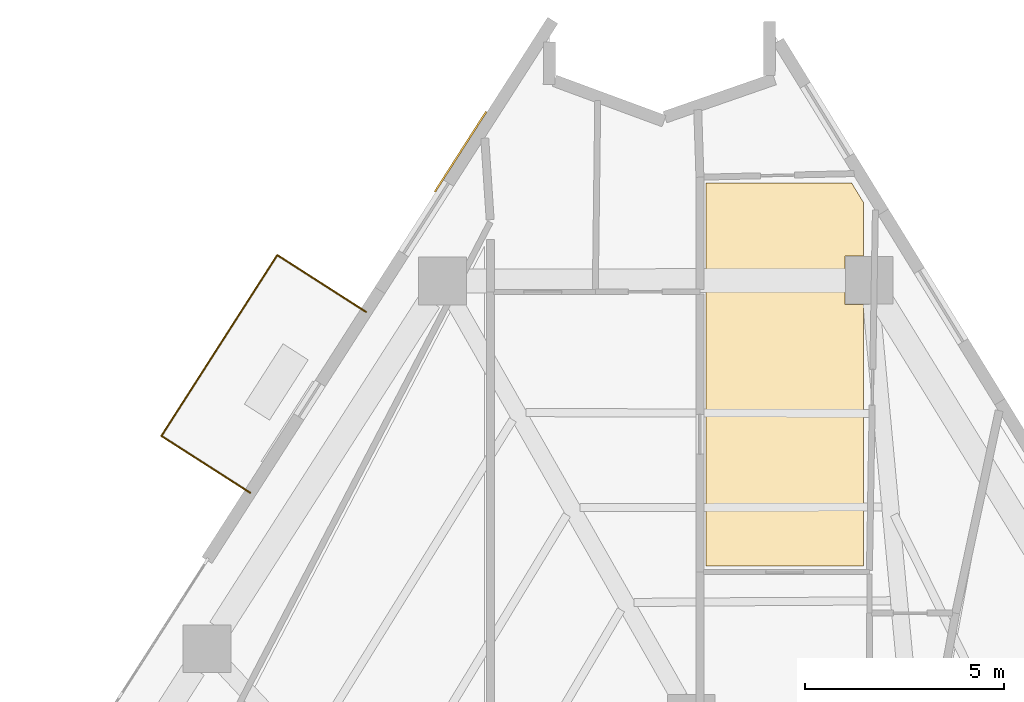
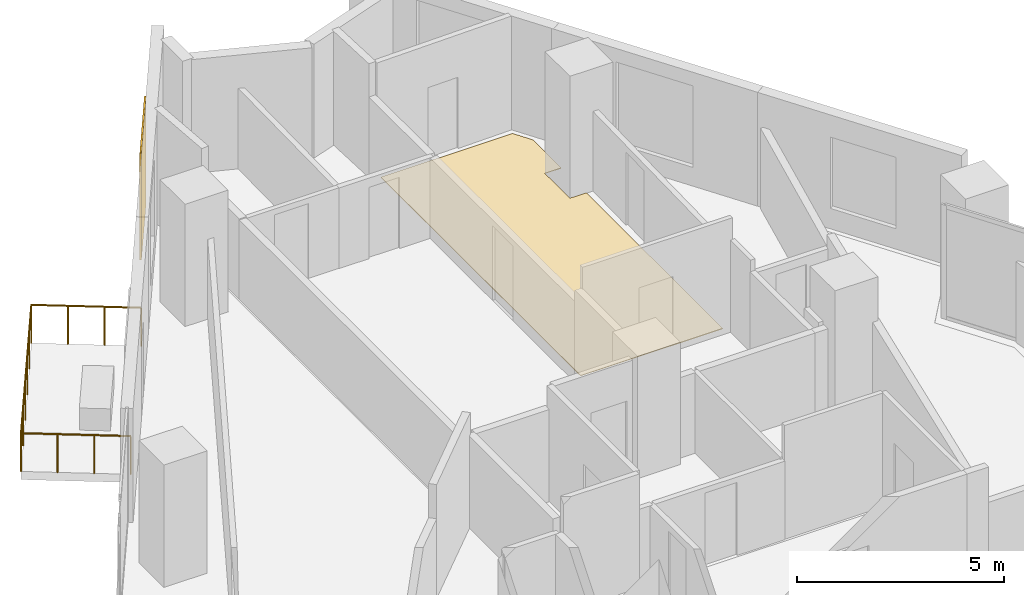
# One storey, part 13 of 13: 2 coverings, 1 railing.
"""IFC4 building model written with IfcOpenShell, lengths in metres."""

from ifc_helpers import new_model, si_unit, direction, frame, origin, origin_2d, place, context, subcontext, project, spatial, polyline, rectangle, circle, outline, extrude, material, layer, layer_set, type_object, element, save


model = new_model("IFC4")

# Units and contexts
model_context = context("Model", 3, precision=1e-05, world=origin(), true_north=direction((0.0, 1.0)))
body_context = subcontext(model_context, "Body", "Model", "MODEL_VIEW")
ifc_project = project(units=[si_unit("LENGTHUNIT", "METRE"), si_unit("AREAUNIT", "SQUARE_METRE"), si_unit("VOLUMEUNIT", "CUBIC_METRE"), si_unit("PLANEANGLEUNIT", "RADIAN"), si_unit("MASSUNIT", "GRAM", prefix="KILO")], contexts=[model_context])

# Site, building, storey
site_placement = place(None, origin())
site = spatial("IfcSite", under=ifc_project, at=site_placement, CompositionType="ELEMENT")
building_placement = place(site_placement, origin())
building = spatial("IfcBuilding", under=site, at=building_placement, Name="Almagre Mirador Tower", CompositionType="ELEMENT")
storey_placement = place(building_placement, frame((0.0, 0.0, 82.199951171875)))
storey = spatial("IfcBuildingStorey", under=building, at=storey_placement, Name="L20", CompositionType="ELEMENT", Elevation=82.199951171875)

# Coverings
ifc_material_1 = material(Name="Almagre terracotta architectural cladding", Category="masonry")
ifc_layer_1 = layer(ifc_material_1, 0.044921875)
ifc_layer_set_1 = layer_set([ifc_layer_1], Name="Almagre terracotta architectural cladding")
covering_type_1 = type_object("IfcCoveringType", Name="COV-CLAD-ALMAGRE", PredefinedType="CLADDING", material=ifc_layer_set_1)
covering_1_placement = place(storey_placement, frame((31.552001953125, 40.440673828125, 0.10009765625), z_axis=(0.0, 0.0, 1.0), x_axis=(0.539461671362, 0.84201015738, 0.0)))
element("IfcCovering", 1, at=covering_1_placement, inside=storey, type_object=covering_type_1, Name="L20 almagre terracotta pier cladding", PredefinedType="CLADDING", context=body_context, shape_type="SweptSolid", body=[
    extrude(rectangle(XDim=2.39990234375, YDim=0.044921875, at=origin_2d()), origin(), (0.0, 0.0, 1.0), 3.14990234375),
])
ifc_material_2 = material(Name="Engineered white oak flooring", Category="wood")
ifc_layer_2 = layer(ifc_material_2, 0.01806640625)
ifc_layer_set_2 = layer_set([ifc_layer_2], Name="Engineered white oak flooring")
covering_type_2 = type_object("IfcCoveringType", Name="COV-FLR-OAK-18", PredefinedType="FLOORING", material=ifc_layer_set_2)
covering_2_placement = place(storey_placement, origin())
element("IfcCovering", 2, at=covering_2_placement, inside=storey, type_object=covering_type_2, Name="L20 Unit L20-H Family Living Salon finish flooring", PredefinedType="FLOORING", context=body_context, shape_type="SweptSolid", body=[
    extrude(outline(polyline([(41.679931640625, 37.81298828125), (41.220947265625, 37.81298828125), (41.220947265625, 36.60302734375), (41.679931640625, 36.60302734375), (41.679931640625, 30.02001953125), (37.719970703125, 30.02001953125), (37.719970703125, 39.64990234375), (41.385986328125, 39.64990234375), (41.679931640625, 39.16796875), (41.679931640625, 37.81298828125)])), origin(), (0.0, 0.0, 1.0), 0.01806640625),
])

# Railing
ifc_material_3 = material(Name="Black anodized aluminium", Category="aluminium")
railing_type = type_object("IfcRailingType", Name="RLG-BAL-1150", PredefinedType="BALUSTRADE", material=ifc_material_3)
railing_placement = place(storey_placement, frame((29.177001953125, 36.4130859375, 0.0)))
element("IfcRailing", 3, at=railing_placement, inside=storey, type_object=railing_type, Name="L20 west balcony balustrade 2", PredefinedType="BALUSTRADE", context=body_context, shape_type="SweptSolid", body=[
    extrude(circle(Radius=0.02392578125, at=origin_2d()), frame((0.0, 0.0, 1.1259765625), z_axis=(-0.842015379792, 0.539453519957, 0.0), x_axis=(-0.539453519957, -0.842015379792, 0.0)), (0.0, 0.0, 1.0), 2.650634765625),
    extrude(circle(Radius=0.02392578125, at=origin_2d()), frame((-2.23193359375, 1.429931640625, 1.1259765625), z_axis=(-0.539438510145, -0.842024995931, 0.0), x_axis=(0.842024995931, -0.539438510145, 0.0)), (0.0, 0.0, 1.0), 5.400146484375),
    extrude(circle(Radius=0.02392578125, at=origin_2d()), frame((-5.14501953125, -3.1171875, 1.1259765625), z_axis=(0.842075537364, -0.539359610439, 0.0), x_axis=(0.539359610439, 0.842075537364, 0.0)), (0.0, 0.0, 1.0), 2.6494140625),
    extrude(circle(Radius=0.02099609375, at=origin_2d()), origin(), (0.0, 0.0, 1.0), 1.101806640625),
    extrude(circle(Radius=0.02099609375, at=origin_2d()), frame((-0.743896484375, 0.4765625, 0.0)), (0.0, 0.0, 1.0), 1.101806640625),
    extrude(circle(Radius=0.02099609375, at=origin_2d()), frame((-1.488037109375, 0.953369140625, 0.0)), (0.0, 0.0, 1.0), 1.101806640625),
    extrude(circle(Radius=0.02099609375, at=origin_2d()), frame((-2.23193359375, 1.429931640625, 0.0)), (0.0, 0.0, 1.0), 1.101806640625),
    extrude(circle(Radius=0.02099609375, at=origin_2d()), frame((-2.814453125, 0.5205078125, 0.0)), (0.0, 0.0, 1.0), 1.101806640625),
    extrude(circle(Radius=0.02099609375, at=origin_2d()), frame((-3.397216796875, -0.388916015625, 0.0)), (0.0, 0.0, 1.0), 1.101806640625),
    extrude(circle(Radius=0.02099609375, at=origin_2d()), frame((-3.979736328125, -1.29833984375, 0.0)), (0.0, 0.0, 1.0), 1.101806640625),
    extrude(circle(Radius=0.02099609375, at=origin_2d()), frame((-4.5625, -2.207763671875, 0.0)), (0.0, 0.0, 1.0), 1.101806640625),
    extrude(circle(Radius=0.02099609375, at=origin_2d()), frame((-5.14501953125, -3.1171875, 0.0)), (0.0, 0.0, 1.0), 1.101806640625),
    extrude(circle(Radius=0.02099609375, at=origin_2d()), frame((-4.4013671875, -3.593505859375, 0.0)), (0.0, 0.0, 1.0), 1.101806640625),
    extrude(circle(Radius=0.02099609375, at=origin_2d()), frame((-3.65771484375, -4.06982421875, 0.0)), (0.0, 0.0, 1.0), 1.101806640625),
    extrude(circle(Radius=0.02099609375, at=origin_2d()), frame((-2.9140625, -4.546142578125, 0.0)), (0.0, 0.0, 1.0), 1.101806640625),
])

save(model, "model.ifc")
